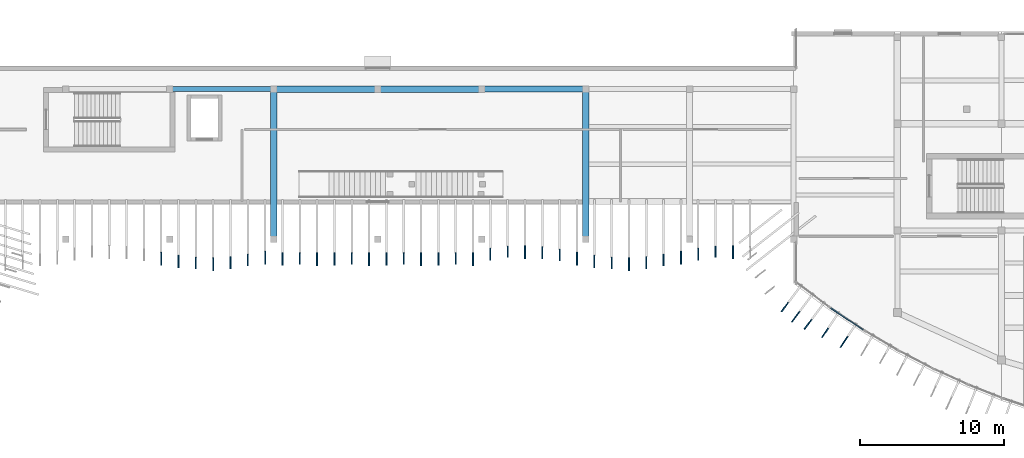
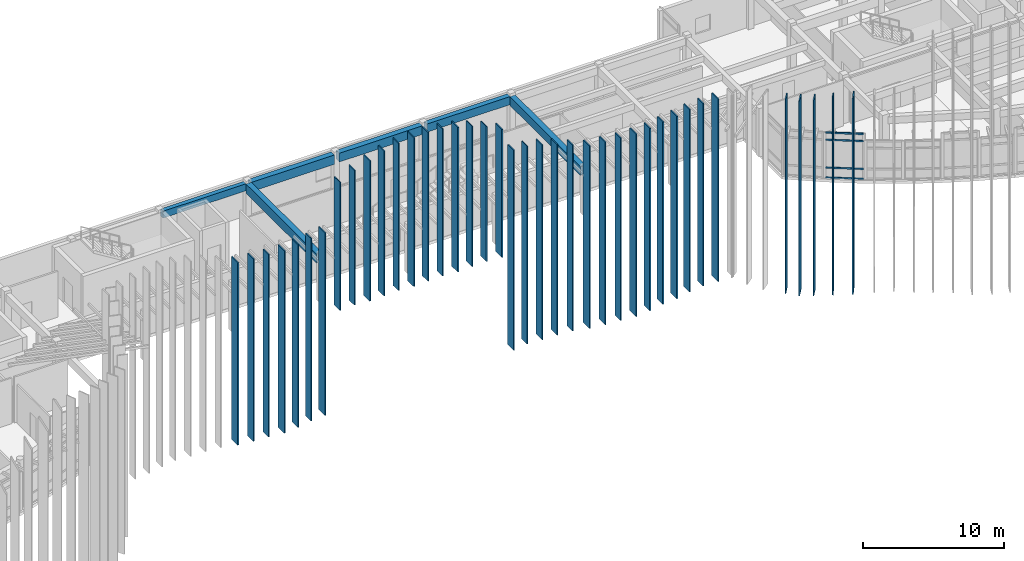
# One storey, part 12 of 47: 43 members, 6 beams, 1 element without a shape of its own.
"""IFC4 building model written with IfcOpenShell, lengths in metres."""

import ifcopenshell
import ifcopenshell.guid

model = None  # the IFC model being written
_history = None  # IfcOwnerHistory: only IFC2X3 demands one
_inside = {}  # id of a spatial element -> (the spatial element, [elements in it])
_under = {}  # id of a project, library or spatial element -> (it, [spatial elements below it])
_declared = {}  # id of a project -> (the project, [libraries it declares])
_typed = {}  # id of a type object -> (the type object, [elements of that type])
_made_of = {}  # id of a material, layer set ... -> (it, [elements and type objects made of it])


def new_model(schema):
    """Start an empty IFC model of exactly this schema.

    Asked for "IFC4X3", IfcOpenShell would pick the latest addendum, in which some entities
    have other attributes; the version numbers below select the first issue.
    IFC2X3 requires an IfcOwnerHistory on every rooted entity: one is made here for all.
    """
    global model, _history
    if schema == "IFC4X3":
        model = ifcopenshell.file(schema_version=(4, 3, 0, 0))
    else:
        model = ifcopenshell.file(schema=schema)
    _inside.clear()
    _under.clear()
    _declared.clear()
    _typed.clear()
    _made_of.clear()
    _history = None
    if model.schema == "IFC2X3":
        org = make("IfcOrganization", Name="unknown")
        user = make(
            "IfcPersonAndOrganization",
            ThePerson=make("IfcPerson", FamilyName="unknown"),
            TheOrganization=org,
        )
        app = make(
            "IfcApplication",
            ApplicationDeveloper=org,
            Version="unknown",
            ApplicationFullName="unknown",
            ApplicationIdentifier="unknown",
        )
        _history = make(
            "IfcOwnerHistory",
            OwningUser=user,
            OwningApplication=app,
            ChangeAction="ADDED",
            CreationDate=0,
        )
    return model


def make(cls, **values):
    """One entity of the class cls with the attributes given. An attribute that is None is left unset."""
    return model.create_entity(
        cls, **{name: value for name, value in values.items() if value is not None}
    )


def rooted(cls, **values):
    """An entity with a GlobalId (a new one), such as an element, a storey or a relation."""
    return make(cls, GlobalId=ifcopenshell.guid.new(), OwnerHistory=_history, **values)


def si_unit(unit_type, name, prefix=None):
    """IfcSIUnit, for example si_unit("LENGTHUNIT", "METRE", prefix="MILLI")."""
    return make("IfcSIUnit", UnitType=unit_type, Prefix=prefix, Name=name)


def assignment(units):
    """IfcUnitAssignment: the units of a project."""
    return None if units is None else make("IfcUnitAssignment", Units=units)


def point(xyz):
    """IfcCartesianPoint."""
    return None if xyz is None else make("IfcCartesianPoint", Coordinates=xyz)


def direction(xyz):
    """IfcDirection."""
    return None if xyz is None else make("IfcDirection", DirectionRatios=xyz)


def frame(location, z_axis=None, x_axis=None):
    """IfcAxis2Placement3D, a coordinate frame: its origin and axes. An axis left out is left unset."""
    return make(
        "IfcAxis2Placement3D",
        Location=point(location),
        Axis=direction(z_axis),
        RefDirection=direction(x_axis),
    )


def frame_2d(location, x_axis=None):
    """IfcAxis2Placement2D, a coordinate frame in the plane: its origin and x axis."""
    return make(
        "IfcAxis2Placement2D", Location=point(location), RefDirection=direction(x_axis)
    )


def origin():
    """The frame at (0, 0, 0) with its axes left unset."""
    return frame((0.0, 0.0, 0.0))


def origin_2d():
    """The frame at (0, 0) in the plane with its x axis left unset."""
    return frame_2d((0.0, 0.0))


def place(relative_to, where):
    """IfcLocalPlacement: puts the frame where relative to a parent placement (None: the world)."""
    return make(
        "IfcLocalPlacement", PlacementRelTo=relative_to, RelativePlacement=where
    )


def context(
    kind, dimensions, precision=None, world=None, true_north=None, identifier=None
):
    """IfcGeometricRepresentationContext, for example the 3D "Model" context."""
    return make(
        "IfcGeometricRepresentationContext",
        ContextIdentifier=identifier,
        ContextType=kind,
        CoordinateSpaceDimension=dimensions,
        Precision=precision,
        WorldCoordinateSystem=world,
        TrueNorth=true_north,
    )


def subcontext(parent, identifier, kind, view, scale=None):
    """IfcGeometricRepresentationSubContext, for example "Body" below "Model"."""
    return make(
        "IfcGeometricRepresentationSubContext",
        ContextIdentifier=identifier,
        ContextType=kind,
        ParentContext=parent,
        TargetScale=scale,
        TargetView=view,
    )


def project(units=None, contexts=None):
    """IfcProject with its units and contexts."""
    return rooted(
        "IfcProject",
        Name="project",
        RepresentationContexts=contexts,
        UnitsInContext=assignment(units),
    )


def spatial(cls, under=None, at=None, **own):
    """A site, building, storey or space (cls), placed at a placement, below another one or the project."""
    s = rooted(cls, ObjectPlacement=at, **own)
    if under is not None:
        _under.setdefault(under.id(), (under, []))[1].append(s)
    return s


def profile(cls, at=None, kind="AREA", **sizes):
    """A parametric profile (cls). Its sizes go by their IFC names, for example OverallWidth=200.0."""
    return make(cls, ProfileType=kind, Position=at, **sizes)


def rectangle(**sizes):
    """IfcRectangleProfileDef."""
    return profile("IfcRectangleProfileDef", **sizes)


def extrude(swept, where, along, depth):
    """IfcExtrudedAreaSolid: the profile swept, set in the frame where, extruded along a direction by depth."""
    return make(
        "IfcExtrudedAreaSolid",
        SweptArea=swept,
        Position=where,
        ExtrudedDirection=direction(along),
        Depth=depth,
    )


def shape(context_of_items, identifier, shape_type, items):
    """IfcShapeRepresentation: the items that make up one representation, for example the "Body"."""
    return make(
        "IfcShapeRepresentation",
        ContextOfItems=context_of_items,
        RepresentationIdentifier=identifier,
        RepresentationType=shape_type,
        Items=items,
    )


def material(Name=None, Category=None):
    """IfcMaterial."""
    return make("IfcMaterial", Name=Name, Category=Category)


def layer(
    of_material, thickness, ventilated=None, Name=None, Category=None, Priority=None
):
    """IfcMaterialLayer: one layer of a wall or slab, of a material (None: an air gap)."""
    return make(
        "IfcMaterialLayer",
        Material=of_material,
        LayerThickness=thickness,
        IsVentilated=ventilated,
        Name=Name,
        Category=Category,
        Priority=Priority,
    )


def layer_set(layers, Name=None):
    """IfcMaterialLayerSet."""
    return make("IfcMaterialLayerSet", MaterialLayers=layers, LayerSetName=Name)


def material_profile(
    of_material, cross_section, Name=None, Category=None, Priority=None
):
    """IfcMaterialProfile: a cross section and its material."""
    return make(
        "IfcMaterialProfile",
        Name=Name,
        Material=of_material,
        Profile=cross_section,
        Priority=Priority,
        Category=Category,
    )


def profile_set(profiles, Name=None, composite=None):
    """IfcMaterialProfileSet."""
    return make(
        "IfcMaterialProfileSet",
        Name=Name,
        MaterialProfiles=profiles,
        CompositeProfile=composite,
    )


def made_of(thing, what):
    """Note that an element or type object is made of a material, layer set ...; save() writes the relation."""
    if what is not None:
        _made_of.setdefault(what.id(), (what, []))[1].append(thing)
    return thing


def type_object(cls, material=None, **own):
    """A type object (cls), such as IfcWallType, which elements share."""
    return made_of(rooted(cls, **own), material)


def element(
    cls,
    number,
    at=None,
    inside=None,
    cuts=None,
    type_object=None,
    material=None,
    context=None,
    identifier="Body",
    shape_type=None,
    held_by="IfcProductDefinitionShape",
    body=None,
    shapes=None,
    **own,
):
    """One element of the class cls, such as IfcWall. Its Tag is "e" and its number.

    at: its placement. inside: the storey or other place that contains it. cuts: it is an
    opening in that element (IfcRelVoidsElement). A single representation is given by context,
    identifier, shape_type and body (its items); several are given by shapes. held_by: the class
    of the entity that holds the representations. save() writes the other relations.
    """
    e = rooted(cls, Tag="e%d" % number, ObjectPlacement=at, **own)
    if body is not None:
        shapes = [shape(context, identifier, shape_type, body)]
    if shapes is not None:
        e.Representation = make(held_by, Representations=shapes)
    if inside is not None:
        _inside.setdefault(inside.id(), (inside, []))[1].append(e)
    if cuts is not None:
        rooted(
            "IfcRelVoidsElement", RelatingBuildingElement=cuts, RelatedOpeningElement=e
        )
    if type_object is not None:
        _typed.setdefault(type_object.id(), (type_object, []))[1].append(e)
    return made_of(e, material)


def aggregate(whole, parts):
    """IfcRelAggregates: a whole, such as a stair, and the parts it consists of."""
    return rooted("IfcRelAggregates", RelatingObject=whole, RelatedObjects=parts)


def save(model, path):
    """Write the relations noted so far, then the file.

    IfcRelAggregates (storeys below a building ...), IfcRelContainedInSpatialStructure (elements
    in a storey), IfcRelDefinesByType, IfcRelAssociatesMaterial and IfcRelDeclares: one each for
    every whole, place, type object, material and project.
    """
    for whole, parts in _under.values():
        aggregate(whole, parts)
    for where, things in _inside.values():
        rooted(
            "IfcRelContainedInSpatialStructure",
            RelatedElements=things,
            RelatingStructure=where,
        )
    for kind, things in _typed.values():
        rooted("IfcRelDefinesByType", RelatedObjects=things, RelatingType=kind)
    for what, things in _made_of.values():
        rooted("IfcRelAssociatesMaterial", RelatedObjects=things, RelatingMaterial=what)
    for by, libraries in _declared.values():
        rooted("IfcRelDeclares", RelatingContext=by, RelatedDefinitions=libraries)
    model.write(path)


model = new_model("IFC4")

# Units and contexts
model_context = context("Model", 3, precision=1e-05, world=origin(), true_north=direction((0.0, 1.0)))
body_context = subcontext(model_context, "Body", "Model", "MODEL_VIEW")
ifc_project = project(units=[si_unit("LENGTHUNIT", "METRE"), si_unit("AREAUNIT", "SQUARE_METRE"), si_unit("VOLUMEUNIT", "CUBIC_METRE"), si_unit("PLANEANGLEUNIT", "RADIAN"), si_unit("MASSUNIT", "GRAM", prefix="KILO")], contexts=[model_context])

# Site, building, storey
site_placement = place(None, origin())
site = spatial("IfcSite", under=ifc_project, at=site_placement, CompositionType="ELEMENT")
building_placement = place(site_placement, origin())
building = spatial("IfcBuilding", under=site, at=building_placement, Name="Brisavento Harbour Community Centre", CompositionType="ELEMENT")
storey_placement = place(building_placement, frame((0.0, 0.0, 8.699951171875)))
storey = spatial("IfcBuildingStorey", under=building, at=storey_placement, Name="L02", CompositionType="ELEMENT", Elevation=8.699951171875)

# Beams
ifc_material_1 = material(Name="Concrete C35/45", Category="concrete")
ifc_material_profile_1 = material_profile(ifc_material_1, rectangle(XDim=0.35009765625, YDim=0.60009765625, at=origin_2d()), Name="Concrete C35/45")
ifc_profile_set_1 = profile_set([ifc_material_profile_1], Name="Concrete C35/45")
beam_type_1 = type_object("IfcBeamType", Name="BM-RC-350x600", PredefinedType="BEAM", material=ifc_profile_set_1)
beam_1_placement = place(storey_placement, frame((64.9951171875, 24.800048828125, 3.66015625), z_axis=(1.0, 0.0, 0.0), x_axis=(0.0, 1.0, 0.0)))
element("IfcBeam", 1, at=beam_1_placement, inside=storey, type_object=beam_type_1, Name="L02 primary girder X0564", PredefinedType="BEAM", context=body_context, shape_type="SweptSolid", body=[
    extrude(rectangle(XDim=0.35009765625, YDim=0.60009765625, at=origin_2d()), origin(), (0.0, 0.0, 1.0), 6.809814453125),
])
ifc_material_profile_2 = material_profile(ifc_material_1, rectangle(XDim=0.39990234375, YDim=0.699951171875, at=origin_2d()), Name="Concrete C35/45")
ifc_profile_set_2 = profile_set([ifc_material_profile_2], Name="Concrete C35/45")
beam_type_2 = type_object("IfcBeamType", Name="BM-RC-400x700", PredefinedType="BEAM", material=ifc_profile_set_2)
beam_2_placement = place(storey_placement, frame((86.594970703125, 24.800048828125, 3.610107421875), z_axis=(1.0, 0.0, 0.0), x_axis=(0.0, 1.0, 0.0)))
element("IfcBeam", 2, at=beam_2_placement, inside=storey, type_object=beam_type_2, Name="L02 primary girder X0567", PredefinedType="BEAM", context=body_context, shape_type="SweptSolid", body=[
    extrude(rectangle(XDim=0.39990234375, YDim=0.699951171875, at=origin_2d()), origin(), (0.0, 0.0, 1.0), 6.81005859375),
])
ifc_material_profile_3 = material_profile(ifc_material_1, rectangle(XDim=0.449951171875, YDim=0.75, at=origin_2d()), Name="Concrete C35/45")
ifc_profile_set_3 = profile_set([ifc_material_profile_3], Name="Concrete C35/45")
beam_type_3 = type_object("IfcBeamType", Name="BM-RC-450x750", PredefinedType="BEAM", material=ifc_profile_set_3)
beam_3_placement = place(storey_placement, frame((79.39501953125, 24.800048828125, 3.5849609375), z_axis=(1.0, 0.0, 0.0), x_axis=(0.0, 1.0, 0.0)))
element("IfcBeam", 3, at=beam_3_placement, inside=storey, type_object=beam_type_3, Name="L02 primary girder X0566", PredefinedType="BEAM", context=body_context, shape_type="SweptSolid", body=[
    extrude(rectangle(XDim=0.449951171875, YDim=0.75, at=origin_2d()), origin(), (0.0, 0.0, 1.0), 6.81005859375),
])
beam_4_placement = place(storey_placement, frame((93.60009765625, 14.594970703125, 3.5849609375), z_axis=(0.0, 1.0, 0.0), x_axis=(-1.0, 0.0, 0.0)))
element("IfcBeam", 4, at=beam_4_placement, inside=storey, type_object=beam_type_3, Name="L02 primary girder Y0601", PredefinedType="BEAM", context=body_context, shape_type="SweptSolid", body=[
    extrude(rectangle(XDim=0.449951171875, YDim=0.75, at=origin_2d()), origin(), (0.0, 0.0, 1.0), 10.010009765625),
])
ifc_material_profile_4 = material_profile(ifc_material_1, rectangle(XDim=0.449951171875, YDim=0.800048828125, at=origin_2d()), Name="Concrete C35/45")
ifc_profile_set_4 = profile_set([ifc_material_profile_4], Name="Concrete C35/45")
beam_type_4 = type_object("IfcBeamType", Name="BM-RC-450x800", PredefinedType="BEAM", material=ifc_profile_set_4)
beam_5_placement = place(storey_placement, frame((72.195068359375, 24.800048828125, 3.56005859375), z_axis=(1.0, 0.0, 0.0), x_axis=(0.0, 1.0, 0.0)))
element("IfcBeam", 5, at=beam_5_placement, inside=storey, type_object=beam_type_4, Name="L02 primary girder X0565", PredefinedType="BEAM", context=body_context, shape_type="SweptSolid", body=[
    extrude(rectangle(XDim=0.449951171875, YDim=0.800048828125, at=origin_2d()), origin(), (0.0, 0.0, 1.0), 6.809814453125),
])
beam_6_placement = place(storey_placement, frame((72.0, 14.594970703125, 3.56005859375), z_axis=(0.0, 1.0, 0.0), x_axis=(-1.0, 0.0, 0.0)))
element("IfcBeam", 6, at=beam_6_placement, inside=storey, type_object=beam_type_4, Name="L02 primary girder Y0600", PredefinedType="BEAM", context=body_context, shape_type="SweptSolid", body=[
    extrude(rectangle(XDim=0.449951171875, YDim=0.800048828125, at=origin_2d()), origin(), (0.0, 0.0, 1.0), 10.010009765625),
])

# Curtain wall, members
ifc_material_2 = material(Name="Marine-anodised aluminium AW-6063-T6", Category="aluminium")
ifc_layer = layer(ifc_material_2, 0.179931640625, Name="Marine-anodised aluminium AW-6063-T6")
ifc_layer_set = layer_set([ifc_layer], Name="Marine-anodised aluminium AW-6063-T6")
curtain_wall_type = type_object("IfcCurtainWallType", Name="CW-SYS-07", PredefinedType="USERDEFINED", material=ifc_layer_set)
curtain_wall_placement = place(storey_placement, origin())
curtain_wall = element("IfcCurtainWall", 7, at=curtain_wall_placement, inside=storey, type_object=curtain_wall_type, Name="L02 V3 unitised curtain wall 119", ObjectType="UNITISED CURTAIN WALL", PredefinedType="USERDEFINED")
ifc_material_profile_5 = material_profile(ifc_material_2, rectangle(XDim=0.074951171875, YDim=0.139892578125, at=origin_2d()), Name="Marine-anodised aluminium AW-6063-T6")
ifc_profile_set_5 = profile_set([ifc_material_profile_5], Name="Marine-anodised aluminium AW-6063-T6")
member_type_1 = type_object("IfcMemberType", Name="CWT-03", PredefinedType="USERDEFINED", material=ifc_profile_set_5)
member_1_placement = place(storey_placement, frame((112.822265625, 8.130615234375, 0.03759765625), z_axis=(-0.8324957022, 0.554031502551, 0.0), x_axis=(-0.554031502551, -0.8324957022, 0.0)))
member_1 = element("IfcMember", 8, at=member_1_placement, type_object=member_type_1, Name="CW-07 transom 1.1", ObjectType="TRANSOM", PredefinedType="USERDEFINED", context=body_context, shape_type="SweptSolid", body=[
    extrude(rectangle(XDim=0.074951171875, YDim=0.139892578125, at=origin_2d()), origin(), (0.0, 0.0, 1.0), 2.69677734375),
])
member_2_placement = place(storey_placement, frame((112.822265625, 8.130615234375, 0.900146484375), z_axis=(-0.8324957022, 0.554031502551, 0.0), x_axis=(-0.554031502551, -0.8324957022, 0.0)))
member_2 = element("IfcMember", 9, at=member_2_placement, type_object=member_type_1, Name="CW-07 transom 1.2", ObjectType="TRANSOM", PredefinedType="USERDEFINED", context=body_context, shape_type="SweptSolid", body=[
    extrude(rectangle(XDim=0.074951171875, YDim=0.139892578125, at=origin_2d()), origin(), (0.0, 0.0, 1.0), 2.69677734375),
])
member_3_placement = place(storey_placement, frame((112.822265625, 8.130615234375, 3.31005859375), z_axis=(-0.8324957022, 0.554031502551, 0.0), x_axis=(-0.554031502551, -0.8324957022, 0.0)))
member_3 = element("IfcMember", 10, at=member_3_placement, type_object=member_type_1, Name="CW-07 transom 1.3", ObjectType="TRANSOM", PredefinedType="USERDEFINED", context=body_context, shape_type="SweptSolid", body=[
    extrude(rectangle(XDim=0.074951171875, YDim=0.139892578125, at=origin_2d()), origin(), (0.0, 0.0, 1.0), 2.69677734375),
])
member_4_placement = place(storey_placement, frame((112.822265625, 8.130615234375, 3.922607421875), z_axis=(-0.8324957022, 0.554031502551, 0.0), x_axis=(-0.554031502551, -0.8324957022, 0.0)))
member_4 = element("IfcMember", 11, at=member_4_placement, type_object=member_type_1, Name="CW-07 transom 1.4", ObjectType="TRANSOM", PredefinedType="USERDEFINED", context=body_context, shape_type="SweptSolid", body=[
    extrude(rectangle(XDim=0.074951171875, YDim=0.139892578125, at=origin_2d()), origin(), (0.0, 0.0, 1.0), 2.69677734375),
])
aggregate(curtain_wall, [member_1, member_2, member_3, member_4])

# Members
ifc_material_3 = material(Name="Off-white marine-anodised aluminium AW-6063-T6", Category="aluminium")
ifc_material_profile_6 = material_profile(ifc_material_3, rectangle(XDim=0.090087890625, YDim=0.89990234375, at=origin_2d()), Name="Off-white marine-anodised aluminium AW-6063-T6")
ifc_profile_set_6 = profile_set([ifc_material_profile_6], Name="Off-white marine-anodised aluminium AW-6063-T6")
member_type_2 = type_object("IfcMemberType", Name="FIN-STORM-1", PredefinedType="USERDEFINED", material=ifc_profile_set_6)
for number, where, z_axis, x_axis, name in (
    (12, (64.199951171875, 13.028076171875, -8.699951171875), (0.0, 0.0, 1.0), (-1.0, 0.0, 0.0), "Standing-clear white storm fin 055"),
    (13, (67.800048828125, 12.652587890625, -8.699951171875), (0.0, 0.0, 1.0), (-1.0, 0.0, 0.0), "Standing-clear white storm fin 058"),
    (14, (71.39990234375, 13.1220703125, -8.699951171875), (0.0, 0.0, 1.0), (-1.0, 0.0, 0.0), "Standing-clear white storm fin 061"),
):
    element("IfcMember", number, at=place(storey_placement, frame(where, z_axis=z_axis, x_axis=x_axis)), inside=storey, type_object=member_type_2, Name=name, ObjectType="FIN", PredefinedType="USERDEFINED", context=body_context, shape_type="SweptSolid", body=[
        extrude(rectangle(XDim=0.090087890625, YDim=0.89990234375, at=origin_2d()), origin(), (0.0, 0.0, 1.0), 15.800048828125),
    ])
member_5_placement = place(storey_placement, frame((75.0, 13.0, 0.0), z_axis=(0.0, 0.0, 1.0), x_axis=(-1.0, 0.0, 0.0)))
element("IfcMember", 15, at=member_5_placement, inside=storey, type_object=member_type_2, Name="Standing-clear white storm fin 064", ObjectType="FIN", PredefinedType="USERDEFINED", context=body_context, shape_type="SweptSolid", body=[
    extrude(rectangle(XDim=0.090087890625, YDim=0.89990234375, at=origin_2d()), origin(), (0.0, 0.0, 1.0), 12.1650390625),
])
member_6_placement = place(storey_placement, frame((78.60009765625, 13.0, 0.0), z_axis=(0.0, 0.0, 1.0), x_axis=(-1.0, 0.0, 0.0)))
element("IfcMember", 16, at=member_6_placement, inside=storey, type_object=member_type_2, Name="Standing-clear white storm fin 067", ObjectType="FIN", PredefinedType="USERDEFINED", context=body_context, shape_type="SweptSolid", body=[
    extrude(rectangle(XDim=0.090087890625, YDim=0.89990234375, at=origin_2d()), origin(), (0.0, 0.0, 1.0), 12.885009765625),
])
member_7_placement = place(storey_placement, frame((82.199951171875, 13.0, 0.0), z_axis=(0.0, 0.0, 1.0), x_axis=(-1.0, 0.0, 0.0)))
element("IfcMember", 17, at=member_7_placement, inside=storey, type_object=member_type_2, Name="Standing-clear white storm fin 070", ObjectType="FIN", PredefinedType="USERDEFINED", context=body_context, shape_type="SweptSolid", body=[
    extrude(rectangle(XDim=0.090087890625, YDim=0.89990234375, at=origin_2d()), origin(), (0.0, 0.0, 1.0), 12.525146484375),
])
member_8_placement = place(storey_placement, frame((85.800048828125, 13.0, 0.0), z_axis=(0.0, 0.0, 1.0), x_axis=(-1.0, 0.0, 0.0)))
element("IfcMember", 18, at=member_8_placement, inside=storey, type_object=member_type_2, Name="Standing-clear white storm fin 073", ObjectType="FIN", PredefinedType="USERDEFINED", context=body_context, shape_type="SweptSolid", body=[
    extrude(rectangle(XDim=0.090087890625, YDim=0.89990234375, at=origin_2d()), origin(), (0.0, 0.0, 1.0), 11.0849609375),
])
member_9_placement = place(storey_placement, frame((89.39990234375, 13.497314453125, -8.699951171875), z_axis=(0.0, 0.0, 1.0), x_axis=(-1.0, 0.0, 0.0)))
element("IfcMember", 19, at=member_9_placement, inside=storey, type_object=member_type_2, Name="Standing-clear white storm fin 076", ObjectType="FIN", PredefinedType="USERDEFINED", context=body_context, shape_type="SweptSolid", body=[
    extrude(rectangle(XDim=0.090087890625, YDim=0.89990234375, at=origin_2d()), origin(), (0.0, 0.0, 1.0), 16.866943359375),
])
for number, where, z_axis, x_axis, name in (
    (20, (93.0, 13.028076171875, -8.699951171875), (0.0, 0.0, 1.0), (-1.0, 0.0, 0.0), "Standing-clear white storm fin 079"),
    (21, (96.60009765625, 12.652587890625, -8.699951171875), (0.0, 0.0, 1.0), (-1.0, 0.0, 0.0), "Standing-clear white storm fin 082"),
    (22, (100.199951171875, 13.1220703125, -8.699951171875), (0.0, 0.0, 1.0), (-1.0, 0.0, 0.0), "Standing-clear white storm fin 085"),
    (23, (103.800048828125, 13.497314453125, -8.699951171875), (0.0, 0.0, 1.0), (-1.0, 0.0, 0.0), "Standing-clear white storm fin 088"),
):
    element("IfcMember", number, at=place(storey_placement, frame(where, z_axis=z_axis, x_axis=x_axis)), inside=storey, type_object=member_type_2, Name=name, ObjectType="FIN", PredefinedType="USERDEFINED", context=body_context, shape_type="SweptSolid", body=[
        extrude(rectangle(XDim=0.090087890625, YDim=0.89990234375, at=origin_2d()), origin(), (0.0, 0.0, 1.0), 15.800048828125),
    ])
member_10_placement = place(storey_placement, frame((108.151123046875, 9.029541015625, -8.699951171875), z_axis=(0.0, 0.0, 1.0), x_axis=(-0.799810392665, 0.600252726595, 0.0)))
element("IfcMember", 24, at=member_10_placement, inside=storey, type_object=member_type_2, Name="Standing-clear white storm fin 094", ObjectType="FIN", PredefinedType="USERDEFINED", context=body_context, shape_type="SweptSolid", body=[
    extrude(rectangle(XDim=0.090087890625, YDim=0.89990234375, at=origin_2d()), origin(), (0.0, 0.0, 1.0), 16.859375),
])
member_11_placement = place(storey_placement, frame((111.498291015625, 7.27392578125, -8.699951171875), z_axis=(0.0, 0.0, 1.0), x_axis=(-0.832476681109, 0.554060082852, 0.0)))
element("IfcMember", 25, at=member_11_placement, inside=storey, type_object=member_type_2, Name="Standing-clear white storm fin 097", ObjectType="FIN", PredefinedType="USERDEFINED", context=body_context, shape_type="SweptSolid", body=[
    extrude(rectangle(XDim=0.090087890625, YDim=0.89990234375, at=origin_2d()), origin(), (0.0, 0.0, 1.0), 17.00732421875),
])
ifc_material_profile_7 = material_profile(ifc_material_3, rectangle(XDim=0.087890625, YDim=0.840087890625, at=origin_2d()), Name="Off-white marine-anodised aluminium AW-6063-T6")
ifc_profile_set_7 = profile_set([ifc_material_profile_7], Name="Off-white marine-anodised aluminium AW-6063-T6")
member_type_3 = type_object("IfcMemberType", Name="FIN-STORM-2", PredefinedType="USERDEFINED", material=ifc_profile_set_7)
for number, where, z_axis, x_axis, name in (
    (26, (65.39990234375, 12.85302734375, -8.699951171875), (0.0, 0.0, 1.0), (-1.0, 0.0, 0.0), "Standing-clear white storm fin 056"),
    (27, (69.0, 12.7626953125, -8.699951171875), (0.0, 0.0, 1.0), (-1.0, 0.0, 0.0), "Standing-clear white storm fin 059"),
):
    element("IfcMember", number, at=place(storey_placement, frame(where, z_axis=z_axis, x_axis=x_axis)), inside=storey, type_object=member_type_3, Name=name, ObjectType="FIN", PredefinedType="USERDEFINED", context=body_context, shape_type="SweptSolid", body=[
        extrude(rectangle(XDim=0.087890625, YDim=0.840087890625, at=origin_2d()), origin(), (0.0, 0.0, 1.0), 15.800048828125),
    ])
member_12_placement = place(storey_placement, frame((72.60009765625, 13.030029296875, 0.0), z_axis=(0.0, 0.0, 1.0), x_axis=(-1.0, 0.0, 0.0)))
element("IfcMember", 28, at=member_12_placement, inside=storey, type_object=member_type_3, Name="Standing-clear white storm fin 062", ObjectType="FIN", PredefinedType="USERDEFINED", context=body_context, shape_type="SweptSolid", body=[
    extrude(rectangle(XDim=0.087890625, YDim=0.840087890625, at=origin_2d()), origin(), (0.0, 0.0, 1.0), 11.0849609375),
])
member_13_placement = place(storey_placement, frame((76.199951171875, 13.030029296875, 0.0), z_axis=(0.0, 0.0, 1.0), x_axis=(-1.0, 0.0, 0.0)))
element("IfcMember", 29, at=member_13_placement, inside=storey, type_object=member_type_3, Name="Standing-clear white storm fin 065", ObjectType="FIN", PredefinedType="USERDEFINED", context=body_context, shape_type="SweptSolid", body=[
    extrude(rectangle(XDim=0.087890625, YDim=0.840087890625, at=origin_2d()), origin(), (0.0, 0.0, 1.0), 12.525146484375),
])
member_14_placement = place(storey_placement, frame((79.800048828125, 13.030029296875, 0.0), z_axis=(0.0, 0.0, 1.0), x_axis=(-1.0, 0.0, 0.0)))
element("IfcMember", 30, at=member_14_placement, inside=storey, type_object=member_type_3, Name="Standing-clear white storm fin 068", ObjectType="FIN", PredefinedType="USERDEFINED", context=body_context, shape_type="SweptSolid", body=[
    extrude(rectangle(XDim=0.087890625, YDim=0.840087890625, at=origin_2d()), origin(), (0.0, 0.0, 1.0), 12.885009765625),
])
member_15_placement = place(storey_placement, frame((83.39990234375, 13.030029296875, 0.0), z_axis=(0.0, 0.0, 1.0), x_axis=(-1.0, 0.0, 0.0)))
element("IfcMember", 31, at=member_15_placement, inside=storey, type_object=member_type_3, Name="Standing-clear white storm fin 071", ObjectType="FIN", PredefinedType="USERDEFINED", context=body_context, shape_type="SweptSolid", body=[
    extrude(rectangle(XDim=0.087890625, YDim=0.840087890625, at=origin_2d()), origin(), (0.0, 0.0, 1.0), 12.1650390625),
])
member_16_placement = place(storey_placement, frame((87.0, 13.35693359375, -8.699951171875), z_axis=(0.0, 0.0, 1.0), x_axis=(-1.0, 0.0, 0.0)))
element("IfcMember", 32, at=member_16_placement, inside=storey, type_object=member_type_3, Name="Standing-clear white storm fin 074", ObjectType="FIN", PredefinedType="USERDEFINED", context=body_context, shape_type="SweptSolid", body=[
    extrude(rectangle(XDim=0.087890625, YDim=0.840087890625, at=origin_2d()), origin(), (0.0, 0.0, 1.0), 17.3203125),
])
member_17_placement = place(storey_placement, frame((90.60009765625, 13.447265625, -8.699951171875), z_axis=(0.0, 0.0, 1.0), x_axis=(-1.0, 0.0, 0.0)))
element("IfcMember", 33, at=member_17_placement, inside=storey, type_object=member_type_3, Name="Standing-clear white storm fin 077", ObjectType="FIN", PredefinedType="USERDEFINED", context=body_context, shape_type="SweptSolid", body=[
    extrude(rectangle(XDim=0.087890625, YDim=0.840087890625, at=origin_2d()), origin(), (0.0, 0.0, 1.0), 16.522216796875),
])
for number, where, z_axis, x_axis, name in (
    (34, (94.199951171875, 12.85302734375, -8.699951171875), (0.0, 0.0, 1.0), (-1.0, 0.0, 0.0), "Standing-clear white storm fin 080"),
    (35, (97.800048828125, 12.7626953125, -8.699951171875), (0.0, 0.0, 1.0), (-1.0, 0.0, 0.0), "Standing-clear white storm fin 083"),
    (36, (101.39990234375, 13.35693359375, -8.699951171875), (0.0, 0.0, 1.0), (-1.0, 0.0, 0.0), "Standing-clear white storm fin 086"),
):
    element("IfcMember", number, at=place(storey_placement, frame(where, z_axis=z_axis, x_axis=x_axis)), inside=storey, type_object=member_type_3, Name=name, ObjectType="FIN", PredefinedType="USERDEFINED", context=body_context, shape_type="SweptSolid", body=[
        extrude(rectangle(XDim=0.087890625, YDim=0.840087890625, at=origin_2d()), origin(), (0.0, 0.0, 1.0), 15.800048828125),
    ])
member_18_placement = place(storey_placement, frame((109.0048828125, 8.50048828125, -8.699951171875), z_axis=(0.0, 0.0, 1.0), x_axis=(-0.799810392665, 0.600252726595, 0.0)))
element("IfcMember", 37, at=member_18_placement, inside=storey, type_object=member_type_3, Name="Standing-clear white storm fin 095", ObjectType="FIN", PredefinedType="USERDEFINED", context=body_context, shape_type="SweptSolid", body=[
    extrude(rectangle(XDim=0.087890625, YDim=0.840087890625, at=origin_2d()), origin(), (0.0, 0.0, 1.0), 16.898681640625),
])
ifc_material_profile_8 = material_profile(ifc_material_3, rectangle(XDim=0.0849609375, YDim=0.780029296875, at=origin_2d()), Name="Off-white marine-anodised aluminium AW-6063-T6")
ifc_profile_set_8 = profile_set([ifc_material_profile_8], Name="Off-white marine-anodised aluminium AW-6063-T6")
member_type_4 = type_object("IfcMemberType", Name="FIN-STORM-3", PredefinedType="USERDEFINED", material=ifc_profile_set_8)
for number, where, z_axis, x_axis, name in (
    (38, (66.60009765625, 12.74560546875, -8.699951171875), (0.0, 0.0, 1.0), (-1.0, 0.0, 0.0), "Standing-clear white storm fin 057"),
    (39, (70.199951171875, 12.964599609375, -8.699951171875), (0.0, 0.0, 1.0), (-1.0, 0.0, 0.0), "Standing-clear white storm fin 060"),
):
    element("IfcMember", number, at=place(storey_placement, frame(where, z_axis=z_axis, x_axis=x_axis)), inside=storey, type_object=member_type_4, Name=name, ObjectType="FIN", PredefinedType="USERDEFINED", context=body_context, shape_type="SweptSolid", body=[
        extrude(rectangle(XDim=0.0849609375, YDim=0.780029296875, at=origin_2d()), origin(), (0.0, 0.0, 1.0), 15.800048828125),
    ])
member_19_placement = place(storey_placement, frame((73.800048828125, 13.06005859375, 0.0), z_axis=(0.0, 0.0, 1.0), x_axis=(-1.0, 0.0, 0.0)))
element("IfcMember", 40, at=member_19_placement, inside=storey, type_object=member_type_4, Name="Standing-clear white storm fin 063", ObjectType="FIN", PredefinedType="USERDEFINED", context=body_context, shape_type="SweptSolid", body=[
    extrude(rectangle(XDim=0.0849609375, YDim=0.780029296875, at=origin_2d()), origin(), (0.0, 0.0, 1.0), 11.68505859375),
])
for number, where, z_axis, x_axis, name in (
    (41, (77.39990234375, 13.06005859375, 0.0), (0.0, 0.0, 1.0), (-1.0, 0.0, 0.0), "Standing-clear white storm fin 066"),
    (42, (81.0, 13.06005859375, 0.0), (0.0, 0.0, 1.0), (-1.0, 0.0, 0.0), "Standing-clear white storm fin 069"),
):
    element("IfcMember", number, at=place(storey_placement, frame(where, z_axis=z_axis, x_axis=x_axis)), inside=storey, type_object=member_type_4, Name=name, ObjectType="FIN", PredefinedType="USERDEFINED", context=body_context, shape_type="SweptSolid", body=[
        extrude(rectangle(XDim=0.0849609375, YDim=0.780029296875, at=origin_2d()), origin(), (0.0, 0.0, 1.0), 12.76513671875),
    ])
member_20_placement = place(storey_placement, frame((84.60009765625, 13.06005859375, 0.0), z_axis=(0.0, 0.0, 1.0), x_axis=(-1.0, 0.0, 0.0)))
element("IfcMember", 43, at=member_20_placement, inside=storey, type_object=member_type_4, Name="Standing-clear white storm fin 072", ObjectType="FIN", PredefinedType="USERDEFINED", context=body_context, shape_type="SweptSolid", body=[
    extrude(rectangle(XDim=0.0849609375, YDim=0.780029296875, at=origin_2d()), origin(), (0.0, 0.0, 1.0), 11.68505859375),
])
member_21_placement = place(storey_placement, frame((88.199951171875, 13.5244140625, -8.699951171875), z_axis=(0.0, 0.0, 1.0), x_axis=(-1.0, 0.0, 0.0)))
element("IfcMember", 44, at=member_21_placement, inside=storey, type_object=member_type_4, Name="Standing-clear white storm fin 075", ObjectType="FIN", PredefinedType="USERDEFINED", context=body_context, shape_type="SweptSolid", body=[
    extrude(rectangle(XDim=0.0849609375, YDim=0.780029296875, at=origin_2d()), origin(), (0.0, 0.0, 1.0), 17.13916015625),
])
member_22_placement = place(storey_placement, frame((91.800048828125, 13.305419921875, -8.699951171875), z_axis=(0.0, 0.0, 1.0), x_axis=(-1.0, 0.0, 0.0)))
element("IfcMember", 45, at=member_22_placement, inside=storey, type_object=member_type_4, Name="Standing-clear white storm fin 078", ObjectType="FIN", PredefinedType="USERDEFINED", context=body_context, shape_type="SweptSolid", body=[
    extrude(rectangle(XDim=0.0849609375, YDim=0.780029296875, at=origin_2d()), origin(), (0.0, 0.0, 1.0), 16.1279296875),
])
for number, where, z_axis, x_axis, name in (
    (46, (95.39990234375, 12.74560546875, -8.699951171875), (0.0, 0.0, 1.0), (-1.0, 0.0, 0.0), "Standing-clear white storm fin 081"),
    (47, (99.0, 12.964599609375, -8.699951171875), (0.0, 0.0, 1.0), (-1.0, 0.0, 0.0), "Standing-clear white storm fin 084"),
    (48, (102.60009765625, 13.5244140625, -8.699951171875), (0.0, 0.0, 1.0), (-1.0, 0.0, 0.0), "Standing-clear white storm fin 087"),
):
    element("IfcMember", number, at=place(storey_placement, frame(where, z_axis=z_axis, x_axis=x_axis)), inside=storey, type_object=member_type_4, Name=name, ObjectType="FIN", PredefinedType="USERDEFINED", context=body_context, shape_type="SweptSolid", body=[
        extrude(rectangle(XDim=0.0849609375, YDim=0.780029296875, at=origin_2d()), origin(), (0.0, 0.0, 1.0), 15.800048828125),
    ])
member_23_placement = place(storey_placement, frame((107.39892578125, 9.69384765625, -8.699951171875), z_axis=(0.0, 0.0, 1.0), x_axis=(-0.799810392665, 0.600252726595, 0.0)))
element("IfcMember", 49, at=member_23_placement, inside=storey, type_object=member_type_4, Name="Standing-clear white storm fin 093", ObjectType="FIN", PredefinedType="USERDEFINED", context=body_context, shape_type="SweptSolid", body=[
    extrude(rectangle(XDim=0.0849609375, YDim=0.780029296875, at=origin_2d()), origin(), (0.0, 0.0, 1.0), 16.81982421875),
])
member_24_placement = place(storey_placement, frame((110.18798828125, 7.906982421875, -8.699951171875), z_axis=(0.0, 0.0, 1.0), x_axis=(-0.832476681109, 0.554060082852, 0.0)))
element("IfcMember", 50, at=member_24_placement, inside=storey, type_object=member_type_4, Name="Standing-clear white storm fin 096", ObjectType="FIN", PredefinedType="USERDEFINED", context=body_context, shape_type="SweptSolid", body=[
    extrude(rectangle(XDim=0.0849609375, YDim=0.780029296875, at=origin_2d()), origin(), (0.0, 0.0, 1.0), 16.947998046875),
])

save(model, "model.ifc")
